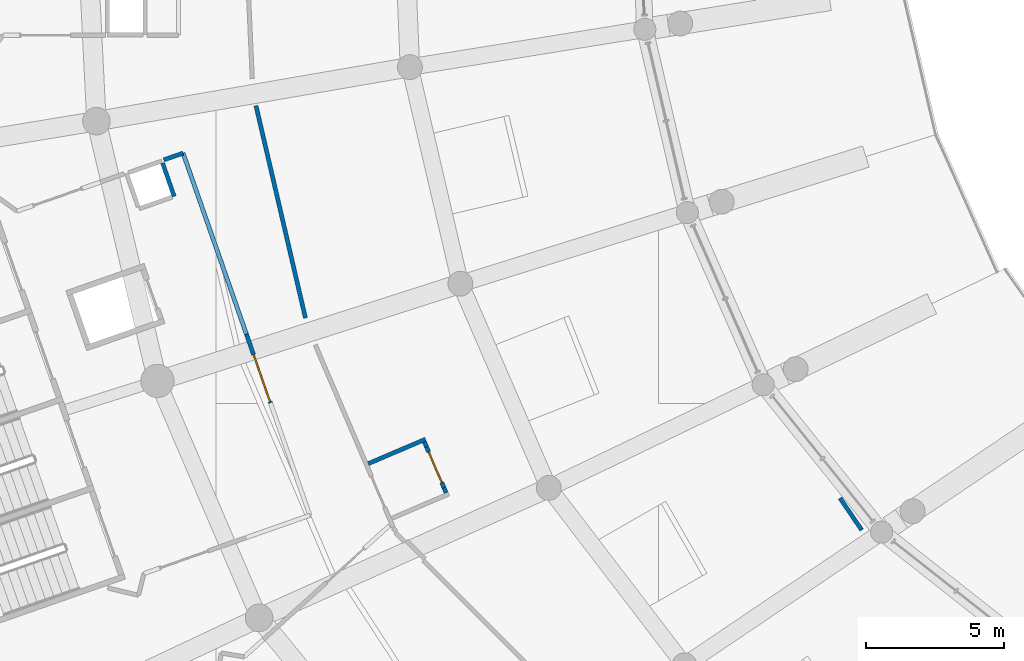
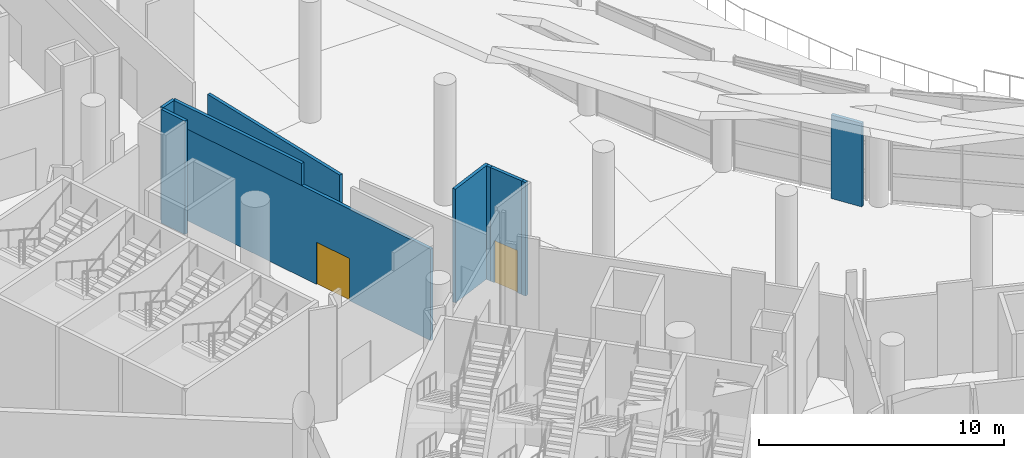
# One storey, part 140 of 249: 10 walls, 2 doors, 2 openings.
"""IFC4 building model written with IfcOpenShell, lengths in metres."""

from ifc_helpers import new_model, si_unit, direction, frame, frame_2d, origin, place, context, subcontext, project, spatial, rectangle, extrude, material, layer, layer_set, type_object, element, fill, save


model = new_model("IFC4")

# Units and contexts
model_context = context("Model", 3, precision=1e-05, world=origin(), true_north=direction((0.0, 1.0)))
body_context = subcontext(model_context, "Body", "Model", "MODEL_VIEW")
ifc_project = project(units=[si_unit("LENGTHUNIT", "METRE"), si_unit("AREAUNIT", "SQUARE_METRE"), si_unit("VOLUMEUNIT", "CUBIC_METRE"), si_unit("PLANEANGLEUNIT", "RADIAN"), si_unit("MASSUNIT", "GRAM", prefix="KILO")], contexts=[model_context])

# Site, building, storey
site_placement = place(None, origin())
site = spatial("IfcSite", under=ifc_project, at=site_placement, CompositionType="ELEMENT")
building_placement = place(site_placement, origin())
building = spatial("IfcBuilding", under=site, at=building_placement, Name="Meseta Stadium", CompositionType="ELEMENT")
storey_placement = place(building_placement, frame((0.0, 0.0, 12.0)))
storey = spatial("IfcBuildingStorey", under=building, at=storey_placement, Name="L02", CompositionType="ELEMENT", Elevation=12.0)

# Walls
ifc_material_1 = material(Name="Masonry blockwork", Category="masonry")
ifc_layer = layer(ifc_material_1, 0.14990234375)
ifc_layer_set = layer_set([ifc_layer], Name="Partition 150")
wall_type = type_object("IfcWallType", Name="Partition 150", PredefinedType="PARTITIONING", material=ifc_layer_set)
wall_1_placement = place(storey_placement, frame((-76.768310546875, -60.917724609375, 0.0), z_axis=(0.0, 0.0, 1.0), x_axis=(-0.226944673482, 0.973907652284, 0.0)))
element("IfcWall", 1, at=wall_1_placement, inside=storey, type_object=wall_type, Name="Partition L02 L02-cell18-0-0", PredefinedType="PARTITIONING", context=body_context, shape_type="SweptSolid", body=[
    extrude(rectangle(XDim=7.882080078125, YDim=0.14990234375, at=frame_2d((3.94091796875, 0.0))), origin(), (0.0, 0.0, 1.0), 3.9619140625),
])
wall_2_placement = place(storey_placement, frame((-57.444091796875, -67.427490234375, 0.0), z_axis=(0.0, 0.0, 1.0), x_axis=(0.56118064085, -0.827693354048, 0.0)))
element("IfcWall", 2, at=wall_2_placement, inside=storey, type_object=wall_type, Name="Partition L02 L02-cell19-0-0", PredefinedType="PARTITIONING", context=body_context, shape_type="SweptSolid", body=[
    extrude(rectangle(XDim=1.39599609375, YDim=0.14990234375, at=frame_2d((0.697998046875, 0.0))), origin(), (0.0, 0.0, 1.0), 4.155517578125),
])
wall_3_placement = place(storey_placement, frame((-81.514404296875, -56.5205078125, 0.0), z_axis=(0.0, 0.0, 1.0), x_axis=(-0.330154221169, 0.943927004722, 0.0)))
element("IfcWall", 3, at=wall_3_placement, inside=storey, type_object=wall_type, Name="Pressurisation shaft wall L02 core 20", PredefinedType="PARTITIONING", context=body_context, shape_type="SweptSolid", body=[
    extrude(rectangle(XDim=1.27490234375, YDim=0.14990234375, at=frame_2d((0.637451171875, 0.0))), origin(), (0.0, 0.0, 1.0), 5.64990234375),
])

# Wall, opening, door
wall_4_placement = place(storey_placement, frame((-76.61181640625, -68.048095703125, 0.0), z_axis=(0.0, 0.0, 1.0), x_axis=(-0.330286915076, 0.943880582346, 0.0)))
wall_4 = element("IfcWall", 4, at=wall_4_placement, inside=storey, type_object=wall_type, Name="Stair vestibule wall L02 core 20", PredefinedType="PARTITIONING", context=body_context, shape_type="SweptSolid", body=[
    extrude(rectangle(XDim=13.869873046875, YDim=0.14990234375, at=frame_2d((6.93505859375, 0.0))), origin(), (0.0, 0.0, 1.0), 4.550048828125),
])
opening_1_placement = place(wall_4_placement, frame((4.35009765625, 0.0, 0.0)))
opening_1 = element("IfcOpeningElement", 5, at=opening_1_placement, cuts=wall_4, Name="Opening D1041", PredefinedType="OPENING", context=body_context, shape_type="SweptSolid", body=[
    extrude(rectangle(XDim=1.800048828125, YDim=2.10009765625, at=frame_2d((0.89990234375, 1.050048828125))), frame((0.0, 0.0849609375, 0.0), z_axis=(0.0, -1.0, 0.0), x_axis=(1.0, 0.0, 0.0)), (0.0, 0.0, 1.0), 0.169921875),
])
ifc_material_2 = material(Name="Steel", Category="steel")
door_type_1 = type_object("IfcDoorType", Name="Fire double door 1800x2100 EI2 60", OperationType="DOUBLE_DOOR_SINGLE_SWING", PredefinedType="DOOR", material=ifc_material_2)
door_1_placement = place(opening_1_placement, origin())
door_1 = element("IfcDoor", 6, at=door_1_placement, inside=storey, type_object=door_type_1, Name="Stair vestibule door L02 core 20", OperationType="DOUBLE_DOOR_SINGLE_SWING", OverallHeight=2.10009765625, OverallWidth=1.800048828125, PredefinedType="DOOR", context=body_context, shape_type="SweptSolid", body=[
    extrude(rectangle(XDim=1.800048828125, YDim=2.10009765625, at=frame_2d((0.89990234375, 1.050048828125))), frame((0.0, 0.02490234375, 0.0), z_axis=(0.0, -1.0, 0.0), x_axis=(1.0, 0.0, 0.0)), (0.0, 0.0, 1.0), 0.050048828125),
])
fill(opening_1, door_1)

# Walls
wall_5_placement = place(storey_placement, frame((-78.90234375, -61.50244140625, 4.550048828125), z_axis=(0.0, 0.0, 1.0), x_axis=(-0.330281427664, 0.943882502508, 0.0)))
element("IfcWall", 7, at=wall_5_placement, inside=storey, type_object=wall_type, Name="Stair vestibule wall L02 core 20", PredefinedType="PARTITIONING", context=body_context, shape_type="SweptSolid", body=[
    extrude(rectangle(XDim=6.93505859375, YDim=0.14990234375, at=frame_2d((3.467529296875, 0.0))), origin(), (0.0, 0.0, 1.0), 1.099853515625),
])
wall_6_placement = place(storey_placement, frame((-81.19287109375, -54.95654296875, 0.0), z_axis=(0.0, 0.0, 1.0), x_axis=(-0.943853205793, -0.330365140284, 0.0)))
element("IfcWall", 8, at=wall_6_placement, inside=storey, type_object=wall_type, Name="Stair vestibule wall L02 core 20", PredefinedType="PARTITIONING", context=body_context, shape_type="SweptSolid", body=[
    extrude(rectangle(XDim=0.739013671875, YDim=0.14990234375, at=frame_2d((0.36962890625, 0.0))), origin(), (0.0, 0.0, 1.0), 5.64990234375),
])
wall_7_placement = place(storey_placement, frame((-74.498291015625, -66.181884765625, 0.0), z_axis=(0.0, 0.0, 1.0), x_axis=(0.919660619765, 0.392714074682, 0.0)))
element("IfcWall", 9, at=wall_7_placement, inside=storey, type_object=wall_type, Name="Partition L02 L02-cell19-0-0 vestibule", PredefinedType="PARTITIONING", context=body_context, shape_type="SweptSolid", body=[
    extrude(rectangle(XDim=2.249755859375, YDim=0.14990234375, at=frame_2d((1.125, 0.0))), origin(), (0.0, 0.0, 1.0), 5.64990234375),
])
wall_8_placement = place(storey_placement, frame((-71.683349609375, -67.236083984375, 0.0), z_axis=(0.0, 0.0, 1.0), x_axis=(-0.391709037985, 0.920089142182, 0.0)))
element("IfcWall", 10, at=wall_8_placement, inside=storey, type_object=wall_type, Name="Partition L02 L02-cell19-0-0 vestibule", PredefinedType="PARTITIONING", context=body_context, shape_type="SweptSolid", body=[
    extrude(rectangle(XDim=0.199951171875, YDim=0.14990234375, at=frame_2d((0.10009765625, 0.0))), origin(), (0.0, 0.0, 1.0), 5.64990234375),
])

# Wall, opening, door
wall_9_placement = place(storey_placement, frame((-71.76171875, -67.052001953125, 0.0), z_axis=(0.0, 0.0, 1.0), x_axis=(-0.392758797822, 0.919641520775, 0.0)))
wall_9 = element("IfcWall", 11, at=wall_9_placement, inside=storey, type_object=wall_type, Name="Partition L02 L02-cell19-0-0 vestibule", PredefinedType="PARTITIONING", context=body_context, shape_type="SweptSolid", body=[
    extrude(rectangle(XDim=1.60009765625, YDim=0.14990234375, at=frame_2d((0.800048828125, 0.0))), origin(), (0.0, 0.0, 1.0), 5.64990234375),
])
opening_2_placement = place(wall_9_placement, frame((0.199951171875, 0.0, 0.0)))
opening_2 = element("IfcOpeningElement", 12, at=opening_2_placement, cuts=wall_9, Name="Opening D1057", PredefinedType="OPENING", context=body_context, shape_type="SweptSolid", body=[
    extrude(rectangle(XDim=1.199951171875, YDim=2.10009765625, at=frame_2d((0.60009765625, 1.050048828125))), frame((0.0, 0.0849609375, 0.0), z_axis=(0.0, -1.0, 0.0), x_axis=(1.0, 0.0, 0.0)), (0.0, 0.0, 1.0), 0.169921875),
])
ifc_material_3 = material(Name="Steel", Category="steel")
door_type_2 = type_object("IfcDoorType", Name="Fire door 1200x2100 EI2 60", OperationType="NOTDEFINED", PredefinedType="DOOR", material=ifc_material_3)
door_2_placement = place(opening_2_placement, origin())
door_2 = element("IfcDoor", 13, at=door_2_placement, inside=storey, type_object=door_type_2, Name="Vestibule door L02 L02-cell19-0-0", OperationType="SINGLE_SWING_LEFT", OverallHeight=2.10009765625, OverallWidth=1.199951171875, PredefinedType="DOOR", context=body_context, shape_type="SweptSolid", body=[
    extrude(rectangle(XDim=1.199951171875, YDim=2.10009765625, at=frame_2d((0.60009765625, 1.050048828125))), frame((0.0, 0.02490234375, 0.0), z_axis=(0.0, -1.0, 0.0), x_axis=(1.0, 0.0, 0.0)), (0.0, 0.0, 1.0), 0.050048828125),
])
fill(opening_2, door_2)

# Wall
wall_10_placement = place(storey_placement, frame((-72.39013671875, -65.58056640625, 0.0), z_axis=(0.0, 0.0, 1.0), x_axis=(-0.393182323567, 0.91946052685, 0.0)))
element("IfcWall", 14, at=wall_10_placement, inside=storey, type_object=wall_type, Name="Partition L02 L02-cell19-0-0 vestibule", PredefinedType="PARTITIONING", context=body_context, shape_type="SweptSolid", body=[
    extrude(rectangle(XDim=0.199951171875, YDim=0.14990234375, at=frame_2d((0.10009765625, 0.0))), origin(), (0.0, 0.0, 1.0), 5.64990234375),
])

save(model, "model.ifc")
